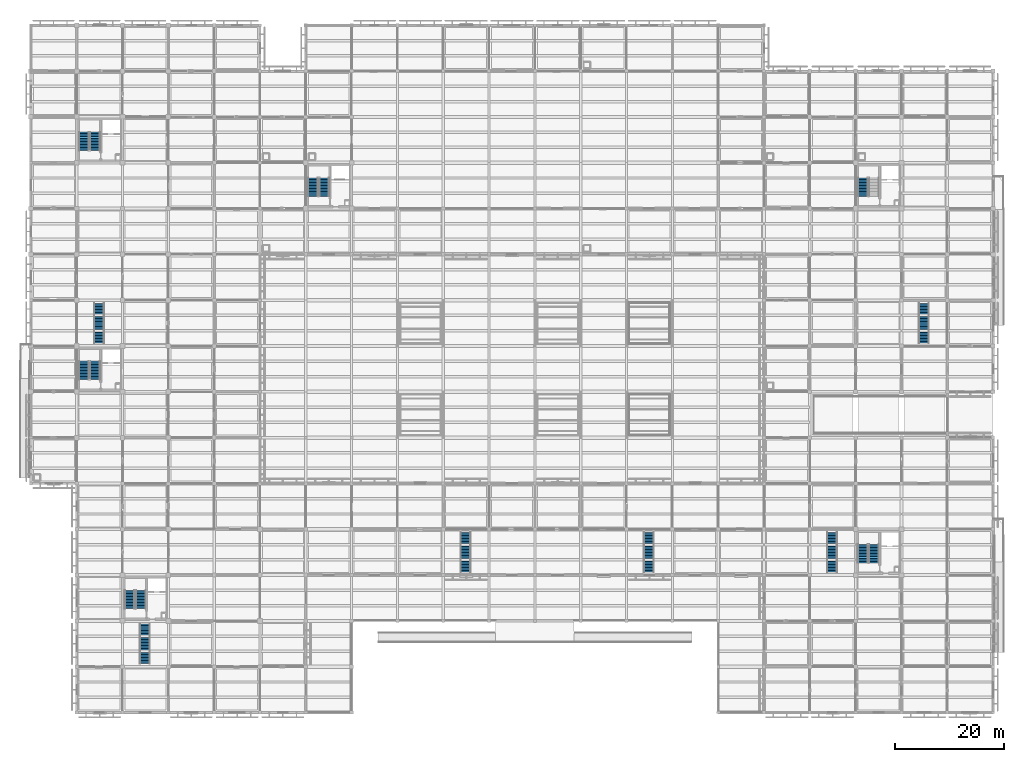
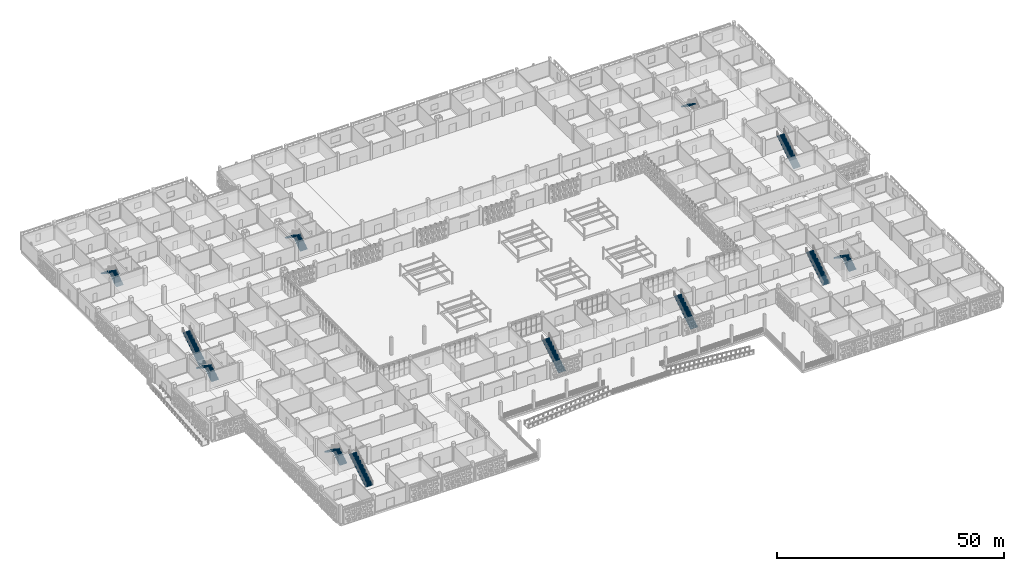
# One storey, part 75 of 129: 17 stair flights, 12 elements without a shape of their own.
"""IFC4 building model written with IfcOpenShell, lengths in metres."""

from ifc_helpers import new_model, si_unit, direction, frame, origin, place, context, subcontext, project, spatial, polyline, outline, extrude, material, type_object, element, aggregate, save


model = new_model("IFC4")

# Units and contexts
model_context = context("Model", 3, precision=1e-05, world=origin(), true_north=direction((0.0, 1.0)))
body_context = subcontext(model_context, "Body", "Model", "MODEL_VIEW")
ifc_project = project(units=[si_unit("LENGTHUNIT", "METRE"), si_unit("AREAUNIT", "SQUARE_METRE"), si_unit("VOLUMEUNIT", "CUBIC_METRE"), si_unit("PLANEANGLEUNIT", "RADIAN"), si_unit("MASSUNIT", "GRAM", prefix="KILO")], contexts=[model_context])

# Site, building, storey
site_placement = place(None, origin())
site = spatial("IfcSite", under=ifc_project, at=site_placement, CompositionType="ELEMENT")
building_placement = place(site_placement, origin())
building = spatial("IfcBuilding", under=site, at=building_placement, Name="Varnapada Polytechnic", CompositionType="ELEMENT")
storey_placement = place(building_placement, origin())
storey = spatial("IfcBuildingStorey", under=building, at=storey_placement, Name="L00", CompositionType="ELEMENT", Elevation=0.0)

# Stair, stair flight
ifc_material = material(Name="Concrete C40/50", Category="concrete")
stair_type_1 = type_object("IfcStairType", Name="Commons Feature Stair ST-F", PredefinedType="STRAIGHT_RUN_STAIR", material=ifc_material)
stair_1_placement = place(storey_placement, origin())
stair_1 = element("IfcStair", 1, at=stair_1_placement, inside=storey, type_object=stair_type_1, Name="L00 commons straight-run stair ST-F4", PredefinedType="STRAIGHT_RUN_STAIR")
stair_flight_type_1 = type_object("IfcStairFlightType", Name="Commons Stair Flight SFL-03", PredefinedType="STRAIGHT", material=ifc_material)
stair_flight_1_placement = place(storey_placement, frame((163.699951171875, 67.75, 0.0), z_axis=(0.0, 0.0, 1.0), x_axis=(0.0, 1.0, 0.0)))
stair_flight_1 = element("IfcStairFlight", 2, at=stair_flight_1_placement, type_object=stair_flight_type_1, Name="ST-F4 flight 1", NumberOfRisers=27, NumberOfTreads=26, PredefinedType="STRAIGHT", RiserHeight=0.177777778, TreadLength=0.278846154, context=body_context, shape_type="SweptSolid", body=[
    extrude(outline(polyline([(0.0, 0.0), (0.0, 0.177734375), (0.27880859375, 0.177734375), (0.27880859375, 0.35546875), (0.5576171875, 0.35546875), (0.5576171875, 0.533447265625), (0.83642578125, 0.533447265625), (0.83642578125, 0.711181640625), (1.115478515625, 0.711181640625), (1.115478515625, 0.888916015625), (1.394287109375, 0.888916015625), (1.394287109375, 1.066650390625), (1.673095703125, 1.066650390625), (1.673095703125, 1.244384765625), (1.951904296875, 1.244384765625), (1.951904296875, 1.422119140625), (2.230712890625, 1.422119140625), (2.230712890625, 1.60009765625), (2.509521484375, 1.60009765625), (2.509521484375, 1.77783203125), (2.78857421875, 1.77783203125), (2.78857421875, 1.95556640625), (3.0673828125, 1.95556640625), (3.0673828125, 2.13330078125), (3.34619140625, 2.13330078125), (3.34619140625, 2.31103515625), (3.625, 2.31103515625), (3.625, 2.48876953125), (3.90380859375, 2.48876953125), (3.90380859375, 2.666748046875), (4.1826171875, 2.666748046875), (4.1826171875, 2.844482421875), (4.46142578125, 2.844482421875), (4.46142578125, 3.022216796875), (4.740478515625, 3.022216796875), (4.740478515625, 3.199951171875), (5.019287109375, 3.199951171875), (5.019287109375, 3.377685546875), (5.298095703125, 3.377685546875), (5.298095703125, 3.5556640625), (5.576904296875, 3.5556640625), (5.576904296875, 3.7333984375), (5.855712890625, 3.7333984375), (5.855712890625, 3.9111328125), (6.134521484375, 3.9111328125), (6.134521484375, 4.0888671875), (6.41357421875, 4.0888671875), (6.41357421875, 4.2666015625), (6.6923828125, 4.2666015625), (6.6923828125, 4.4443359375), (6.97119140625, 4.4443359375), (6.97119140625, 4.622314453125), (7.25, 4.622314453125), (7.25, 4.800048828125), (7.25, 4.408935546875), (0.334716796875, 0.0), (0.0, 0.0)])), frame((0.0, 0.89990234375, 0.0), z_axis=(0.0, -1.0, 0.0), x_axis=(1.0, 0.0, 0.0)), (0.0, 0.0, 1.0), 1.800048828125),
])
aggregate(stair_1, [stair_flight_1])

stair_2_placement = place(storey_placement, origin())
stair_2 = element("IfcStair", 3, at=stair_2_placement, inside=storey, type_object=stair_type_1, Name="L00 commons straight-run stair ST-F5", PredefinedType="STRAIGHT_RUN_STAIR")
stair_flight_2_placement = place(storey_placement, frame((79.699951171875, 25.75, 0.0), z_axis=(0.0, 0.0, 1.0), x_axis=(0.0, 1.0, 0.0)))
stair_flight_2 = element("IfcStairFlight", 4, at=stair_flight_2_placement, type_object=stair_flight_type_1, Name="ST-F5 flight 1", NumberOfRisers=27, NumberOfTreads=26, PredefinedType="STRAIGHT", RiserHeight=0.177777778, TreadLength=0.278846154, context=body_context, shape_type="SweptSolid", body=[
    extrude(outline(polyline([(0.0, 0.0), (0.0, 0.177734375), (0.27880859375, 0.177734375), (0.27880859375, 0.35546875), (0.5576171875, 0.35546875), (0.5576171875, 0.533447265625), (0.83642578125, 0.533447265625), (0.83642578125, 0.711181640625), (1.115478515625, 0.711181640625), (1.115478515625, 0.888916015625), (1.394287109375, 0.888916015625), (1.394287109375, 1.066650390625), (1.673095703125, 1.066650390625), (1.673095703125, 1.244384765625), (1.951904296875, 1.244384765625), (1.951904296875, 1.422119140625), (2.230712890625, 1.422119140625), (2.230712890625, 1.60009765625), (2.509521484375, 1.60009765625), (2.509521484375, 1.77783203125), (2.78857421875, 1.77783203125), (2.78857421875, 1.95556640625), (3.0673828125, 1.95556640625), (3.0673828125, 2.13330078125), (3.34619140625, 2.13330078125), (3.34619140625, 2.31103515625), (3.625, 2.31103515625), (3.625, 2.48876953125), (3.90380859375, 2.48876953125), (3.90380859375, 2.666748046875), (4.1826171875, 2.666748046875), (4.1826171875, 2.844482421875), (4.46142578125, 2.844482421875), (4.46142578125, 3.022216796875), (4.740478515625, 3.022216796875), (4.740478515625, 3.199951171875), (5.019287109375, 3.199951171875), (5.019287109375, 3.377685546875), (5.298095703125, 3.377685546875), (5.298095703125, 3.5556640625), (5.576904296875, 3.5556640625), (5.576904296875, 3.7333984375), (5.855712890625, 3.7333984375), (5.855712890625, 3.9111328125), (6.134521484375, 3.9111328125), (6.134521484375, 4.0888671875), (6.41357421875, 4.0888671875), (6.41357421875, 4.2666015625), (6.6923828125, 4.2666015625), (6.6923828125, 4.4443359375), (6.97119140625, 4.4443359375), (6.97119140625, 4.622314453125), (7.25, 4.622314453125), (7.25, 4.800048828125), (7.25, 4.408935546875), (0.334716796875, 0.0), (0.0, 0.0)])), frame((0.0, 0.89990234375, 0.0), z_axis=(0.0, -1.0, 0.0), x_axis=(1.0, 0.0, 0.0)), (0.0, 0.0, 1.0), 1.800048828125),
])
aggregate(stair_2, [stair_flight_2])

stair_3_placement = place(storey_placement, origin())
stair_3 = element("IfcStair", 5, at=stair_3_placement, inside=storey, type_object=stair_type_1, Name="L00 commons straight-run stair ST-F6", PredefinedType="STRAIGHT_RUN_STAIR")
stair_flight_3_placement = place(storey_placement, frame((113.300048828125, 25.75, 0.0), z_axis=(0.0, 0.0, 1.0), x_axis=(0.0, 1.0, 0.0)))
stair_flight_3 = element("IfcStairFlight", 6, at=stair_flight_3_placement, type_object=stair_flight_type_1, Name="ST-F6 flight 1", NumberOfRisers=27, NumberOfTreads=26, PredefinedType="STRAIGHT", RiserHeight=0.177777778, TreadLength=0.278846154, context=body_context, shape_type="SweptSolid", body=[
    extrude(outline(polyline([(0.0, 0.0), (0.0, 0.177734375), (0.27880859375, 0.177734375), (0.27880859375, 0.35546875), (0.5576171875, 0.35546875), (0.5576171875, 0.533447265625), (0.83642578125, 0.533447265625), (0.83642578125, 0.711181640625), (1.115478515625, 0.711181640625), (1.115478515625, 0.888916015625), (1.394287109375, 0.888916015625), (1.394287109375, 1.066650390625), (1.673095703125, 1.066650390625), (1.673095703125, 1.244384765625), (1.951904296875, 1.244384765625), (1.951904296875, 1.422119140625), (2.230712890625, 1.422119140625), (2.230712890625, 1.60009765625), (2.509521484375, 1.60009765625), (2.509521484375, 1.77783203125), (2.78857421875, 1.77783203125), (2.78857421875, 1.95556640625), (3.0673828125, 1.95556640625), (3.0673828125, 2.13330078125), (3.34619140625, 2.13330078125), (3.34619140625, 2.31103515625), (3.625, 2.31103515625), (3.625, 2.48876953125), (3.90380859375, 2.48876953125), (3.90380859375, 2.666748046875), (4.1826171875, 2.666748046875), (4.1826171875, 2.844482421875), (4.46142578125, 2.844482421875), (4.46142578125, 3.022216796875), (4.740478515625, 3.022216796875), (4.740478515625, 3.199951171875), (5.019287109375, 3.199951171875), (5.019287109375, 3.377685546875), (5.298095703125, 3.377685546875), (5.298095703125, 3.5556640625), (5.576904296875, 3.5556640625), (5.576904296875, 3.7333984375), (5.855712890625, 3.7333984375), (5.855712890625, 3.9111328125), (6.134521484375, 3.9111328125), (6.134521484375, 4.0888671875), (6.41357421875, 4.0888671875), (6.41357421875, 4.2666015625), (6.6923828125, 4.2666015625), (6.6923828125, 4.4443359375), (6.97119140625, 4.4443359375), (6.97119140625, 4.622314453125), (7.25, 4.622314453125), (7.25, 4.800048828125), (7.25, 4.408935546875), (0.334716796875, 0.0), (0.0, 0.0)])), frame((0.0, 0.89990234375, 0.0), z_axis=(0.0, -1.0, 0.0), x_axis=(1.0, 0.0, 0.0)), (0.0, 0.0, 1.0), 1.800048828125),
])
aggregate(stair_3, [stair_flight_3])

# Stair, stair flights
stair_type_2 = type_object("IfcStairType", Name="Core Exit Stair ST-A", PredefinedType="HALF_TURN_STAIR", material=ifc_material)
stair_4_placement = place(storey_placement, origin())
stair_4 = element("IfcStair", 7, at=stair_4_placement, inside=storey, type_object=stair_type_2, Name="L00 Core C1 Exit Stair", PredefinedType="HALF_TURN_STAIR")
stair_flight_type_2 = type_object("IfcStairFlightType", Name="Stair Flight SFL-01", PredefinedType="STRAIGHT", material=ifc_material)
stair_flight_4_placement = place(storey_placement, frame((11.77490234375, 103.050048828125, 0.0), z_axis=(0.0, 0.0, 1.0), x_axis=(0.0, 1.0, 0.0)))
stair_flight_4 = element("IfcStairFlight", 8, at=stair_flight_4_placement, type_object=stair_flight_type_2, Name="ST-1 flight 1", NumberOfRisers=13, NumberOfTreads=12, PredefinedType="STRAIGHT", RiserHeight=0.184615385, TreadLength=0.28, context=body_context, shape_type="SweptSolid", body=[
    extrude(outline(polyline([(0.0, 0.0), (0.0, 0.1845703125), (0.280029296875, 0.1845703125), (0.280029296875, 0.369140625), (0.56005859375, 0.369140625), (0.56005859375, 0.553955078125), (0.840087890625, 0.553955078125), (0.840087890625, 0.738525390625), (1.1201171875, 0.738525390625), (1.1201171875, 0.923095703125), (1.39990234375, 0.923095703125), (1.39990234375, 1.107666015625), (1.679931640625, 1.107666015625), (1.679931640625, 1.292236328125), (1.9599609375, 1.292236328125), (1.9599609375, 1.476806640625), (2.239990234375, 1.476806640625), (2.239990234375, 1.66162109375), (2.52001953125, 1.66162109375), (2.52001953125, 1.84619140625), (2.800048828125, 1.84619140625), (2.800048828125, 2.03076171875), (3.080078125, 2.03076171875), (3.080078125, 2.21533203125), (3.360107421875, 2.21533203125), (3.360107421875, 2.39990234375), (3.360107421875, 1.999755859375), (0.326904296875, 0.0), (0.0, 0.0)])), frame((0.0, 0.925048828125, 0.0), z_axis=(0.0, -1.0, 0.0), x_axis=(1.0, 0.0, 0.0)), (0.0, 0.0, 1.0), 1.85009765625),
])
stair_flight_5_placement = place(storey_placement, frame((9.72509765625, 106.409912109375, 2.39990234375), z_axis=(0.0, 0.0, 1.0), x_axis=(0.0, -1.0, 0.0)))
stair_flight_5 = element("IfcStairFlight", 9, at=stair_flight_5_placement, type_object=stair_flight_type_2, Name="ST-1 flight 2", NumberOfRisers=13, NumberOfTreads=12, PredefinedType="STRAIGHT", RiserHeight=0.184615385, TreadLength=0.28, context=body_context, shape_type="SweptSolid", body=[
    extrude(outline(polyline([(0.0, 0.0), (0.0, 0.1845703125), (0.280029296875, 0.1845703125), (0.280029296875, 0.369140625), (0.56005859375, 0.369140625), (0.56005859375, 0.553955078125), (0.840087890625, 0.553955078125), (0.840087890625, 0.738525390625), (1.1201171875, 0.738525390625), (1.1201171875, 0.923095703125), (1.39990234375, 0.923095703125), (1.39990234375, 1.107666015625), (1.679931640625, 1.107666015625), (1.679931640625, 1.292236328125), (1.9599609375, 1.292236328125), (1.9599609375, 1.476806640625), (2.239990234375, 1.476806640625), (2.239990234375, 1.66162109375), (2.52001953125, 1.66162109375), (2.52001953125, 1.84619140625), (2.800048828125, 1.84619140625), (2.800048828125, 2.03076171875), (3.080078125, 2.03076171875), (3.080078125, 2.21533203125), (3.360107421875, 2.21533203125), (3.360107421875, 2.39990234375), (3.360107421875, 1.999755859375), (0.326904296875, 0.0), (0.0, 0.0)])), frame((0.0, 0.925048828125, 0.0), z_axis=(0.0, -1.0, 0.0), x_axis=(1.0, 0.0, 0.0)), (0.0, 0.0, 1.0), 1.85009765625),
])
aggregate(stair_4, [stair_flight_4, stair_flight_5])

stair_5_placement = place(storey_placement, origin())
stair_5 = element("IfcStair", 10, at=stair_5_placement, inside=storey, type_object=stair_type_2, Name="L00 Core C2 Exit Stair", PredefinedType="HALF_TURN_STAIR")
stair_flight_6_placement = place(storey_placement, frame((11.77490234375, 61.050048828125, 0.0), z_axis=(0.0, 0.0, 1.0), x_axis=(0.0, 1.0, 0.0)))
stair_flight_6 = element("IfcStairFlight", 11, at=stair_flight_6_placement, type_object=stair_flight_type_2, Name="ST-2 flight 1", NumberOfRisers=13, NumberOfTreads=12, PredefinedType="STRAIGHT", RiserHeight=0.184615385, TreadLength=0.28, context=body_context, shape_type="SweptSolid", body=[
    extrude(outline(polyline([(0.0, 0.0), (0.0, 0.1845703125), (0.280029296875, 0.1845703125), (0.280029296875, 0.369140625), (0.56005859375, 0.369140625), (0.56005859375, 0.553955078125), (0.840087890625, 0.553955078125), (0.840087890625, 0.738525390625), (1.1201171875, 0.738525390625), (1.1201171875, 0.923095703125), (1.39990234375, 0.923095703125), (1.39990234375, 1.107666015625), (1.679931640625, 1.107666015625), (1.679931640625, 1.292236328125), (1.9599609375, 1.292236328125), (1.9599609375, 1.476806640625), (2.239990234375, 1.476806640625), (2.239990234375, 1.66162109375), (2.52001953125, 1.66162109375), (2.52001953125, 1.84619140625), (2.800048828125, 1.84619140625), (2.800048828125, 2.03076171875), (3.080078125, 2.03076171875), (3.080078125, 2.21533203125), (3.360107421875, 2.21533203125), (3.360107421875, 2.39990234375), (3.360107421875, 1.999755859375), (0.326904296875, 0.0), (0.0, 0.0)])), frame((0.0, 0.925048828125, 0.0), z_axis=(0.0, -1.0, 0.0), x_axis=(1.0, 0.0, 0.0)), (0.0, 0.0, 1.0), 1.85009765625),
])
stair_flight_7_placement = place(storey_placement, frame((9.72509765625, 64.409912109375, 2.39990234375), z_axis=(0.0, 0.0, 1.0), x_axis=(0.0, -1.0, 0.0)))
stair_flight_7 = element("IfcStairFlight", 12, at=stair_flight_7_placement, type_object=stair_flight_type_2, Name="ST-2 flight 2", NumberOfRisers=13, NumberOfTreads=12, PredefinedType="STRAIGHT", RiserHeight=0.184615385, TreadLength=0.28, context=body_context, shape_type="SweptSolid", body=[
    extrude(outline(polyline([(0.0, 0.0), (0.0, 0.1845703125), (0.280029296875, 0.1845703125), (0.280029296875, 0.369140625), (0.56005859375, 0.369140625), (0.56005859375, 0.553955078125), (0.840087890625, 0.553955078125), (0.840087890625, 0.738525390625), (1.1201171875, 0.738525390625), (1.1201171875, 0.923095703125), (1.39990234375, 0.923095703125), (1.39990234375, 1.107666015625), (1.679931640625, 1.107666015625), (1.679931640625, 1.292236328125), (1.9599609375, 1.292236328125), (1.9599609375, 1.476806640625), (2.239990234375, 1.476806640625), (2.239990234375, 1.66162109375), (2.52001953125, 1.66162109375), (2.52001953125, 1.84619140625), (2.800048828125, 1.84619140625), (2.800048828125, 2.03076171875), (3.080078125, 2.03076171875), (3.080078125, 2.21533203125), (3.360107421875, 2.21533203125), (3.360107421875, 2.39990234375), (3.360107421875, 1.999755859375), (0.326904296875, 0.0), (0.0, 0.0)])), frame((0.0, 0.925048828125, 0.0), z_axis=(0.0, -1.0, 0.0), x_axis=(1.0, 0.0, 0.0)), (0.0, 0.0, 1.0), 1.85009765625),
])
aggregate(stair_5, [stair_flight_6, stair_flight_7])

stair_6_placement = place(storey_placement, origin())
stair_6 = element("IfcStair", 13, at=stair_6_placement, inside=storey, type_object=stair_type_2, Name="L00 Core C3 Exit Stair", PredefinedType="HALF_TURN_STAIR")
stair_flight_8_placement = place(storey_placement, frame((20.175048828125, 19.050048828125, 0.0), z_axis=(0.0, 0.0, 1.0), x_axis=(0.0, 1.0, 0.0)))
stair_flight_8 = element("IfcStairFlight", 14, at=stair_flight_8_placement, type_object=stair_flight_type_2, Name="ST-3 flight 1", NumberOfRisers=13, NumberOfTreads=12, PredefinedType="STRAIGHT", RiserHeight=0.184615385, TreadLength=0.28, context=body_context, shape_type="SweptSolid", body=[
    extrude(outline(polyline([(0.0, 0.0), (0.0, 0.1845703125), (0.280029296875, 0.1845703125), (0.280029296875, 0.369140625), (0.56005859375, 0.369140625), (0.56005859375, 0.553955078125), (0.840087890625, 0.553955078125), (0.840087890625, 0.738525390625), (1.1201171875, 0.738525390625), (1.1201171875, 0.923095703125), (1.39990234375, 0.923095703125), (1.39990234375, 1.107666015625), (1.679931640625, 1.107666015625), (1.679931640625, 1.292236328125), (1.9599609375, 1.292236328125), (1.9599609375, 1.476806640625), (2.239990234375, 1.476806640625), (2.239990234375, 1.66162109375), (2.52001953125, 1.66162109375), (2.52001953125, 1.84619140625), (2.800048828125, 1.84619140625), (2.800048828125, 2.03076171875), (3.080078125, 2.03076171875), (3.080078125, 2.21533203125), (3.360107421875, 2.21533203125), (3.360107421875, 2.39990234375), (3.360107421875, 1.999755859375), (0.326904296875, 0.0), (0.0, 0.0)])), frame((0.0, 0.925048828125, 0.0), z_axis=(0.0, -1.0, 0.0), x_axis=(1.0, 0.0, 0.0)), (0.0, 0.0, 1.0), 1.85009765625),
])
stair_flight_9_placement = place(storey_placement, frame((18.125, 22.409912109375, 2.39990234375), z_axis=(0.0, 0.0, 1.0), x_axis=(0.0, -1.0, 0.0)))
stair_flight_9 = element("IfcStairFlight", 15, at=stair_flight_9_placement, type_object=stair_flight_type_2, Name="ST-3 flight 2", NumberOfRisers=13, NumberOfTreads=12, PredefinedType="STRAIGHT", RiserHeight=0.184615385, TreadLength=0.28, context=body_context, shape_type="SweptSolid", body=[
    extrude(outline(polyline([(0.0, 0.0), (0.0, 0.1845703125), (0.280029296875, 0.1845703125), (0.280029296875, 0.369140625), (0.56005859375, 0.369140625), (0.56005859375, 0.553955078125), (0.840087890625, 0.553955078125), (0.840087890625, 0.738525390625), (1.1201171875, 0.738525390625), (1.1201171875, 0.923095703125), (1.39990234375, 0.923095703125), (1.39990234375, 1.107666015625), (1.679931640625, 1.107666015625), (1.679931640625, 1.292236328125), (1.9599609375, 1.292236328125), (1.9599609375, 1.476806640625), (2.239990234375, 1.476806640625), (2.239990234375, 1.66162109375), (2.52001953125, 1.66162109375), (2.52001953125, 1.84619140625), (2.800048828125, 1.84619140625), (2.800048828125, 2.03076171875), (3.080078125, 2.03076171875), (3.080078125, 2.21533203125), (3.360107421875, 2.21533203125), (3.360107421875, 2.39990234375), (3.360107421875, 1.999755859375), (0.326904296875, 0.0), (0.0, 0.0)])), frame((0.0, 0.925048828125, 0.0), z_axis=(0.0, -1.0, 0.0), x_axis=(1.0, 0.0, 0.0)), (0.0, 0.0, 1.0), 1.85009765625),
])
aggregate(stair_6, [stair_flight_8, stair_flight_9])

stair_type_3 = type_object("IfcStairType", Name="Core Exit Stair ST-B", PredefinedType="HALF_TURN_STAIR", material=ifc_material)
stair_7_placement = place(storey_placement, origin())
stair_7 = element("IfcStair", 16, at=stair_7_placement, inside=storey, type_object=stair_type_3, Name="L00 Core C4 Exit Stair", PredefinedType="HALF_TURN_STAIR")
stair_flight_10_placement = place(storey_placement, frame((53.77490234375, 94.64990234375, 0.0), z_axis=(0.0, 0.0, 1.0), x_axis=(0.0, 1.0, 0.0)))
stair_flight_10 = element("IfcStairFlight", 17, at=stair_flight_10_placement, type_object=stair_flight_type_2, Name="ST-4 flight 1", NumberOfRisers=13, NumberOfTreads=12, PredefinedType="STRAIGHT", RiserHeight=0.184615385, TreadLength=0.28, context=body_context, shape_type="SweptSolid", body=[
    extrude(outline(polyline([(0.0, 0.0), (0.0, 0.1845703125), (0.280029296875, 0.1845703125), (0.280029296875, 0.369140625), (0.56005859375, 0.369140625), (0.56005859375, 0.553955078125), (0.840087890625, 0.553955078125), (0.840087890625, 0.738525390625), (1.1201171875, 0.738525390625), (1.1201171875, 0.923095703125), (1.39990234375, 0.923095703125), (1.39990234375, 1.107666015625), (1.679931640625, 1.107666015625), (1.679931640625, 1.292236328125), (1.9599609375, 1.292236328125), (1.9599609375, 1.476806640625), (2.239990234375, 1.476806640625), (2.239990234375, 1.66162109375), (2.52001953125, 1.66162109375), (2.52001953125, 1.84619140625), (2.800048828125, 1.84619140625), (2.800048828125, 2.03076171875), (3.080078125, 2.03076171875), (3.080078125, 2.21533203125), (3.360107421875, 2.21533203125), (3.360107421875, 2.39990234375), (3.360107421875, 1.999755859375), (0.326904296875, 0.0), (0.0, 0.0)])), frame((0.0, 0.925048828125, 0.0), z_axis=(0.0, -1.0, 0.0), x_axis=(1.0, 0.0, 0.0)), (0.0, 0.0, 1.0), 1.85009765625),
])
stair_flight_11_placement = place(storey_placement, frame((51.72509765625, 98.010009765625, 2.39990234375), z_axis=(0.0, 0.0, 1.0), x_axis=(0.0, -1.0, 0.0)))
stair_flight_11 = element("IfcStairFlight", 18, at=stair_flight_11_placement, type_object=stair_flight_type_2, Name="ST-4 flight 2", NumberOfRisers=13, NumberOfTreads=12, PredefinedType="STRAIGHT", RiserHeight=0.184615385, TreadLength=0.28, context=body_context, shape_type="SweptSolid", body=[
    extrude(outline(polyline([(0.0, 0.0), (0.0, 0.1845703125), (0.280029296875, 0.1845703125), (0.280029296875, 0.369140625), (0.56005859375, 0.369140625), (0.56005859375, 0.553955078125), (0.840087890625, 0.553955078125), (0.840087890625, 0.738525390625), (1.1201171875, 0.738525390625), (1.1201171875, 0.923095703125), (1.39990234375, 0.923095703125), (1.39990234375, 1.107666015625), (1.679931640625, 1.107666015625), (1.679931640625, 1.292236328125), (1.9599609375, 1.292236328125), (1.9599609375, 1.476806640625), (2.239990234375, 1.476806640625), (2.239990234375, 1.66162109375), (2.52001953125, 1.66162109375), (2.52001953125, 1.84619140625), (2.800048828125, 1.84619140625), (2.800048828125, 2.03076171875), (3.080078125, 2.03076171875), (3.080078125, 2.21533203125), (3.360107421875, 2.21533203125), (3.360107421875, 2.39990234375), (3.360107421875, 1.999755859375), (0.326904296875, 0.0), (0.0, 0.0)])), frame((0.0, 0.925048828125, 0.0), z_axis=(0.0, -1.0, 0.0), x_axis=(1.0, 0.0, 0.0)), (0.0, 0.0, 1.0), 1.85009765625),
])
aggregate(stair_7, [stair_flight_10, stair_flight_11])

# Stair, stair flight
stair_8_placement = place(storey_placement, origin())
stair_8 = element("IfcStair", 19, at=stair_8_placement, inside=storey, type_object=stair_type_3, Name="L00 Core C5 Exit Stair", PredefinedType="HALF_TURN_STAIR")
stair_flight_12_placement = place(storey_placement, frame((152.52490234375, 98.010009765625, 2.39990234375), z_axis=(0.0, 0.0, 1.0), x_axis=(0.0, -1.0, 0.0)))
stair_flight_12 = element("IfcStairFlight", 20, at=stair_flight_12_placement, type_object=stair_flight_type_2, Name="ST-5 flight 2", NumberOfRisers=13, NumberOfTreads=12, PredefinedType="STRAIGHT", RiserHeight=0.184615385, TreadLength=0.28, context=body_context, shape_type="SweptSolid", body=[
    extrude(outline(polyline([(0.0, 0.0), (0.0, 0.1845703125), (0.280029296875, 0.1845703125), (0.280029296875, 0.369140625), (0.56005859375, 0.369140625), (0.56005859375, 0.553955078125), (0.840087890625, 0.553955078125), (0.840087890625, 0.738525390625), (1.1201171875, 0.738525390625), (1.1201171875, 0.923095703125), (1.39990234375, 0.923095703125), (1.39990234375, 1.107666015625), (1.679931640625, 1.107666015625), (1.679931640625, 1.292236328125), (1.9599609375, 1.292236328125), (1.9599609375, 1.476806640625), (2.239990234375, 1.476806640625), (2.239990234375, 1.66162109375), (2.52001953125, 1.66162109375), (2.52001953125, 1.84619140625), (2.800048828125, 1.84619140625), (2.800048828125, 2.03076171875), (3.080078125, 2.03076171875), (3.080078125, 2.21533203125), (3.360107421875, 2.21533203125), (3.360107421875, 2.39990234375), (3.360107421875, 1.999755859375), (0.326904296875, 0.0), (0.0, 0.0)])), frame((0.0, 0.925048828125, 0.0), z_axis=(0.0, -1.0, 0.0), x_axis=(1.0, 0.0, 0.0)), (0.0, 0.0, 1.0), 1.85009765625),
])
aggregate(stair_8, [stair_flight_12])

# Stair, stair flights
stair_9_placement = place(storey_placement, origin())
stair_9 = element("IfcStair", 21, at=stair_9_placement, inside=storey, type_object=stair_type_3, Name="L00 Core C6 Exit Stair", PredefinedType="HALF_TURN_STAIR")
stair_flight_13_placement = place(storey_placement, frame((154.574951171875, 27.449951171875, 0.0), z_axis=(0.0, 0.0, 1.0), x_axis=(0.0, 1.0, 0.0)))
stair_flight_13 = element("IfcStairFlight", 22, at=stair_flight_13_placement, type_object=stair_flight_type_2, Name="ST-6 flight 1", NumberOfRisers=13, NumberOfTreads=12, PredefinedType="STRAIGHT", RiserHeight=0.184615385, TreadLength=0.28, context=body_context, shape_type="SweptSolid", body=[
    extrude(outline(polyline([(0.0, 0.0), (0.0, 0.1845703125), (0.280029296875, 0.1845703125), (0.280029296875, 0.369140625), (0.56005859375, 0.369140625), (0.56005859375, 0.553955078125), (0.840087890625, 0.553955078125), (0.840087890625, 0.738525390625), (1.1201171875, 0.738525390625), (1.1201171875, 0.923095703125), (1.39990234375, 0.923095703125), (1.39990234375, 1.107666015625), (1.679931640625, 1.107666015625), (1.679931640625, 1.292236328125), (1.9599609375, 1.292236328125), (1.9599609375, 1.476806640625), (2.239990234375, 1.476806640625), (2.239990234375, 1.66162109375), (2.52001953125, 1.66162109375), (2.52001953125, 1.84619140625), (2.800048828125, 1.84619140625), (2.800048828125, 2.03076171875), (3.080078125, 2.03076171875), (3.080078125, 2.21533203125), (3.360107421875, 2.21533203125), (3.360107421875, 2.39990234375), (3.360107421875, 1.999755859375), (0.326904296875, 0.0), (0.0, 0.0)])), frame((0.0, 0.925048828125, 0.0), z_axis=(0.0, -1.0, 0.0), x_axis=(1.0, 0.0, 0.0)), (0.0, 0.0, 1.0), 1.85009765625),
])
stair_flight_14_placement = place(storey_placement, frame((152.52490234375, 30.81005859375, 2.39990234375), z_axis=(0.0, 0.0, 1.0), x_axis=(0.0, -1.0, 0.0)))
stair_flight_14 = element("IfcStairFlight", 23, at=stair_flight_14_placement, type_object=stair_flight_type_2, Name="ST-6 flight 2", NumberOfRisers=13, NumberOfTreads=12, PredefinedType="STRAIGHT", RiserHeight=0.184615385, TreadLength=0.28, context=body_context, shape_type="SweptSolid", body=[
    extrude(outline(polyline([(0.0, 0.0), (0.0, 0.1845703125), (0.280029296875, 0.1845703125), (0.280029296875, 0.369140625), (0.56005859375, 0.369140625), (0.56005859375, 0.553955078125), (0.840087890625, 0.553955078125), (0.840087890625, 0.738525390625), (1.1201171875, 0.738525390625), (1.1201171875, 0.923095703125), (1.39990234375, 0.923095703125), (1.39990234375, 1.107666015625), (1.679931640625, 1.107666015625), (1.679931640625, 1.292236328125), (1.9599609375, 1.292236328125), (1.9599609375, 1.476806640625), (2.239990234375, 1.476806640625), (2.239990234375, 1.66162109375), (2.52001953125, 1.66162109375), (2.52001953125, 1.84619140625), (2.800048828125, 1.84619140625), (2.800048828125, 2.03076171875), (3.080078125, 2.03076171875), (3.080078125, 2.21533203125), (3.360107421875, 2.21533203125), (3.360107421875, 2.39990234375), (3.360107421875, 1.999755859375), (0.326904296875, 0.0), (0.0, 0.0)])), frame((0.0, 0.925048828125, 0.0), z_axis=(0.0, -1.0, 0.0), x_axis=(1.0, 0.0, 0.0)), (0.0, 0.0, 1.0), 1.85009765625),
])
aggregate(stair_9, [stair_flight_13, stair_flight_14])

# Stair, stair flight
stair_10_placement = place(storey_placement, origin())
stair_10 = element("IfcStair", 24, at=stair_10_placement, inside=storey, type_object=stair_type_1, Name="L00 commons straight-run stair ST-F1", PredefinedType="STRAIGHT_RUN_STAIR")
stair_flight_type_3 = type_object("IfcStairFlightType", Name="Stair Flight SFL-02", PredefinedType="STRAIGHT", material=ifc_material)
stair_flight_15_placement = place(storey_placement, frame((20.89990234375, 8.949951171875, 0.0), z_axis=(0.0, 0.0, 1.0), x_axis=(0.0, 1.0, 0.0)))
stair_flight_15 = element("IfcStairFlight", 25, at=stair_flight_15_placement, type_object=stair_flight_type_3, Name="ST-F1 flight 1", NumberOfRisers=27, NumberOfTreads=26, PredefinedType="STRAIGHT", RiserHeight=0.177777778, TreadLength=0.278846154, context=body_context, shape_type="SweptSolid", body=[
    extrude(outline(polyline([(0.0, 0.0), (0.0, 0.177734375), (0.27880859375, 0.177734375), (0.27880859375, 0.35546875), (0.5576171875, 0.35546875), (0.5576171875, 0.533447265625), (0.83642578125, 0.533447265625), (0.83642578125, 0.711181640625), (1.115478515625, 0.711181640625), (1.115478515625, 0.888916015625), (1.394287109375, 0.888916015625), (1.394287109375, 1.066650390625), (1.673095703125, 1.066650390625), (1.673095703125, 1.244384765625), (1.951904296875, 1.244384765625), (1.951904296875, 1.422119140625), (2.230712890625, 1.422119140625), (2.230712890625, 1.60009765625), (2.509521484375, 1.60009765625), (2.509521484375, 1.77783203125), (2.78857421875, 1.77783203125), (2.78857421875, 1.95556640625), (3.0673828125, 1.95556640625), (3.0673828125, 2.13330078125), (3.34619140625, 2.13330078125), (3.34619140625, 2.31103515625), (3.625, 2.31103515625), (3.625, 2.48876953125), (3.90380859375, 2.48876953125), (3.90380859375, 2.666748046875), (4.1826171875, 2.666748046875), (4.1826171875, 2.844482421875), (4.46142578125, 2.844482421875), (4.46142578125, 3.022216796875), (4.740478515625, 3.022216796875), (4.740478515625, 3.199951171875), (5.019287109375, 3.199951171875), (5.019287109375, 3.377685546875), (5.298095703125, 3.377685546875), (5.298095703125, 3.5556640625), (5.576904296875, 3.5556640625), (5.576904296875, 3.7333984375), (5.855712890625, 3.7333984375), (5.855712890625, 3.9111328125), (6.134521484375, 3.9111328125), (6.134521484375, 4.0888671875), (6.41357421875, 4.0888671875), (6.41357421875, 4.2666015625), (6.6923828125, 4.2666015625), (6.6923828125, 4.4443359375), (6.97119140625, 4.4443359375), (6.97119140625, 4.622314453125), (7.25, 4.622314453125), (7.25, 4.800048828125), (7.25, 4.408935546875), (0.334716796875, 0.0), (0.0, 0.0)])), frame((0.0, 0.89990234375, 0.0), z_axis=(0.0, -1.0, 0.0), x_axis=(1.0, 0.0, 0.0)), (0.0, 0.0, 1.0), 1.800048828125),
])
aggregate(stair_10, [stair_flight_15])

stair_11_placement = place(storey_placement, origin())
stair_11 = element("IfcStair", 26, at=stair_11_placement, inside=storey, type_object=stair_type_1, Name="L00 commons straight-run stair ST-F2", PredefinedType="STRAIGHT_RUN_STAIR")
stair_flight_16_placement = place(storey_placement, frame((146.89990234375, 25.75, 0.0), z_axis=(0.0, 0.0, 1.0), x_axis=(0.0, 1.0, 0.0)))
stair_flight_16 = element("IfcStairFlight", 27, at=stair_flight_16_placement, type_object=stair_flight_type_3, Name="ST-F2 flight 1", NumberOfRisers=27, NumberOfTreads=26, PredefinedType="STRAIGHT", RiserHeight=0.177777778, TreadLength=0.278846154, context=body_context, shape_type="SweptSolid", body=[
    extrude(outline(polyline([(0.0, 0.0), (0.0, 0.177734375), (0.27880859375, 0.177734375), (0.27880859375, 0.35546875), (0.5576171875, 0.35546875), (0.5576171875, 0.533447265625), (0.83642578125, 0.533447265625), (0.83642578125, 0.711181640625), (1.115478515625, 0.711181640625), (1.115478515625, 0.888916015625), (1.394287109375, 0.888916015625), (1.394287109375, 1.066650390625), (1.673095703125, 1.066650390625), (1.673095703125, 1.244384765625), (1.951904296875, 1.244384765625), (1.951904296875, 1.422119140625), (2.230712890625, 1.422119140625), (2.230712890625, 1.60009765625), (2.509521484375, 1.60009765625), (2.509521484375, 1.77783203125), (2.78857421875, 1.77783203125), (2.78857421875, 1.95556640625), (3.0673828125, 1.95556640625), (3.0673828125, 2.13330078125), (3.34619140625, 2.13330078125), (3.34619140625, 2.31103515625), (3.625, 2.31103515625), (3.625, 2.48876953125), (3.90380859375, 2.48876953125), (3.90380859375, 2.666748046875), (4.1826171875, 2.666748046875), (4.1826171875, 2.844482421875), (4.46142578125, 2.844482421875), (4.46142578125, 3.022216796875), (4.740478515625, 3.022216796875), (4.740478515625, 3.199951171875), (5.019287109375, 3.199951171875), (5.019287109375, 3.377685546875), (5.298095703125, 3.377685546875), (5.298095703125, 3.5556640625), (5.576904296875, 3.5556640625), (5.576904296875, 3.7333984375), (5.855712890625, 3.7333984375), (5.855712890625, 3.9111328125), (6.134521484375, 3.9111328125), (6.134521484375, 4.0888671875), (6.41357421875, 4.0888671875), (6.41357421875, 4.2666015625), (6.6923828125, 4.2666015625), (6.6923828125, 4.4443359375), (6.97119140625, 4.4443359375), (6.97119140625, 4.622314453125), (7.25, 4.622314453125), (7.25, 4.800048828125), (7.25, 4.408935546875), (0.334716796875, 0.0), (0.0, 0.0)])), frame((0.0, 0.89990234375, 0.0), z_axis=(0.0, -1.0, 0.0), x_axis=(1.0, 0.0, 0.0)), (0.0, 0.0, 1.0), 1.800048828125),
])
aggregate(stair_11, [stair_flight_16])

stair_12_placement = place(storey_placement, origin())
stair_12 = element("IfcStair", 28, at=stair_12_placement, inside=storey, type_object=stair_type_1, Name="L00 commons straight-run stair ST-F3", PredefinedType="STRAIGHT_RUN_STAIR")
stair_flight_17_placement = place(storey_placement, frame((12.5, 67.75, 0.0), z_axis=(0.0, 0.0, 1.0), x_axis=(0.0, 1.0, 0.0)))
stair_flight_17 = element("IfcStairFlight", 29, at=stair_flight_17_placement, type_object=stair_flight_type_3, Name="ST-F3 flight 1", NumberOfRisers=27, NumberOfTreads=26, PredefinedType="STRAIGHT", RiserHeight=0.177777778, TreadLength=0.278846154, context=body_context, shape_type="SweptSolid", body=[
    extrude(outline(polyline([(0.0, 0.0), (0.0, 0.177734375), (0.27880859375, 0.177734375), (0.27880859375, 0.35546875), (0.5576171875, 0.35546875), (0.5576171875, 0.533447265625), (0.83642578125, 0.533447265625), (0.83642578125, 0.711181640625), (1.115478515625, 0.711181640625), (1.115478515625, 0.888916015625), (1.394287109375, 0.888916015625), (1.394287109375, 1.066650390625), (1.673095703125, 1.066650390625), (1.673095703125, 1.244384765625), (1.951904296875, 1.244384765625), (1.951904296875, 1.422119140625), (2.230712890625, 1.422119140625), (2.230712890625, 1.60009765625), (2.509521484375, 1.60009765625), (2.509521484375, 1.77783203125), (2.78857421875, 1.77783203125), (2.78857421875, 1.95556640625), (3.0673828125, 1.95556640625), (3.0673828125, 2.13330078125), (3.34619140625, 2.13330078125), (3.34619140625, 2.31103515625), (3.625, 2.31103515625), (3.625, 2.48876953125), (3.90380859375, 2.48876953125), (3.90380859375, 2.666748046875), (4.1826171875, 2.666748046875), (4.1826171875, 2.844482421875), (4.46142578125, 2.844482421875), (4.46142578125, 3.022216796875), (4.740478515625, 3.022216796875), (4.740478515625, 3.199951171875), (5.019287109375, 3.199951171875), (5.019287109375, 3.377685546875), (5.298095703125, 3.377685546875), (5.298095703125, 3.5556640625), (5.576904296875, 3.5556640625), (5.576904296875, 3.7333984375), (5.855712890625, 3.7333984375), (5.855712890625, 3.9111328125), (6.134521484375, 3.9111328125), (6.134521484375, 4.0888671875), (6.41357421875, 4.0888671875), (6.41357421875, 4.2666015625), (6.6923828125, 4.2666015625), (6.6923828125, 4.4443359375), (6.97119140625, 4.4443359375), (6.97119140625, 4.622314453125), (7.25, 4.622314453125), (7.25, 4.800048828125), (7.25, 4.408935546875), (0.334716796875, 0.0), (0.0, 0.0)])), frame((0.0, 0.89990234375, 0.0), z_axis=(0.0, -1.0, 0.0), x_axis=(1.0, 0.0, 0.0)), (0.0, 0.0, 1.0), 1.800048828125),
])
aggregate(stair_12, [stair_flight_17])

save(model, "model.ifc")
